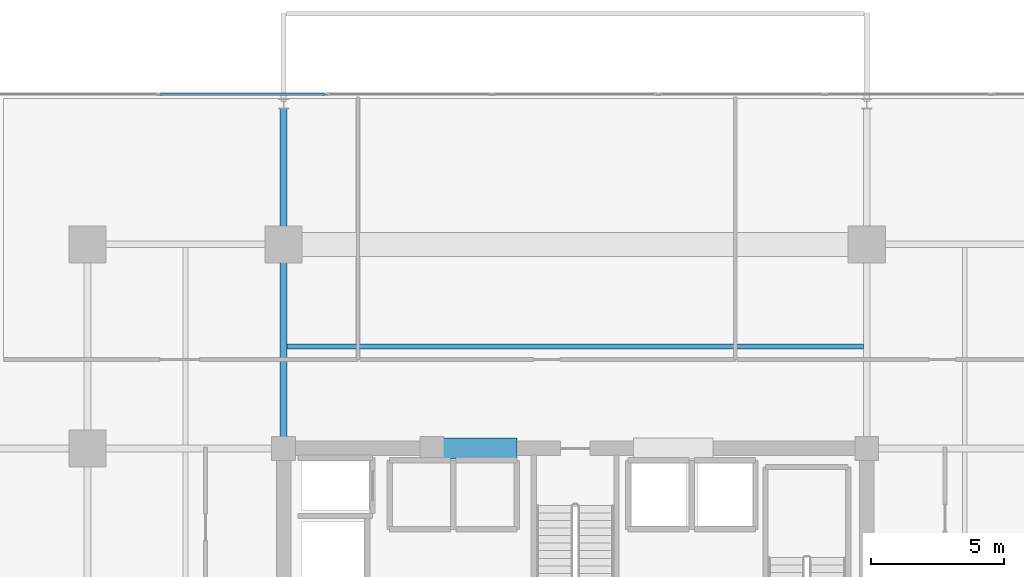
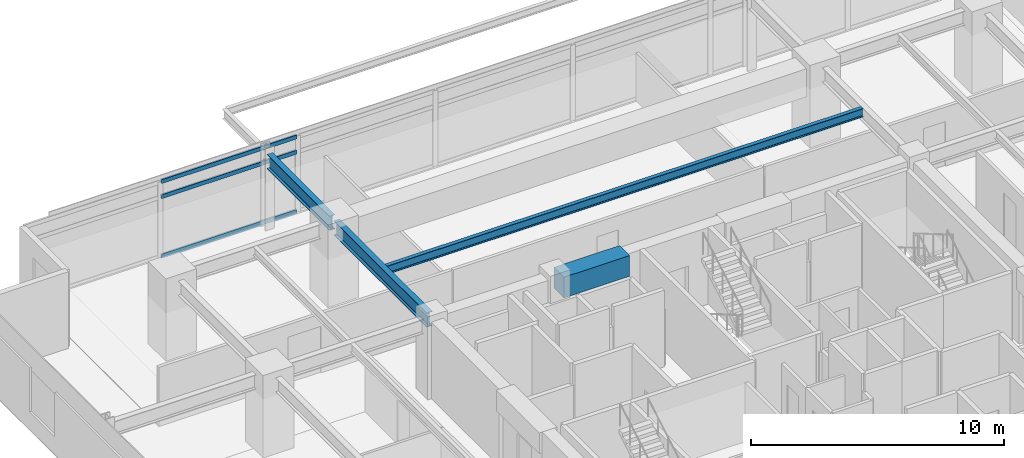
# One storey, part 6 of 22: 4 beams, 3 members, 1 element without a shape of its own.
"""IFC4 building model written with IfcOpenShell, lengths in metres."""

from ifc_helpers import new_model, si_unit, direction, frame, origin, origin_2d, place, context, subcontext, project, spatial, rectangle, hollow_rectangle, i_section, extrude, material, material_profile, profile_set, type_object, element, aggregate, save


model = new_model("IFC4")

# Units and contexts
model_context = context("Model", 3, precision=1e-05, world=origin(), true_north=direction((0.0, 1.0)))
body_context = subcontext(model_context, "Body", "Model", "MODEL_VIEW")
ifc_project = project(units=[si_unit("LENGTHUNIT", "METRE"), si_unit("AREAUNIT", "SQUARE_METRE"), si_unit("VOLUMEUNIT", "CUBIC_METRE"), si_unit("PLANEANGLEUNIT", "RADIAN"), si_unit("MASSUNIT", "GRAM", prefix="KILO")], contexts=[model_context])

# Site, building, storey
site_placement = place(None, origin())
site = spatial("IfcSite", under=ifc_project, at=site_placement, CompositionType="ELEMENT")
building_placement = place(site_placement, origin())
building = spatial("IfcBuilding", under=site, at=building_placement, Name="Kovane Verandah Tower", CompositionType="ELEMENT")
storey_placement = place(building_placement, frame((0.0, 0.0, 229.199951171875)))
storey = spatial("IfcBuildingStorey", under=building, at=storey_placement, Name="L53", CompositionType="ELEMENT", Elevation=229.199951171875)

# Beams
ifc_material_1 = material(Name="Concrete C60/75", Category="concrete")
ifc_material_profile_1 = material_profile(ifc_material_1, rectangle(XDim=0.800048828125, YDim=1.0, at=origin_2d()), Name="RCB800x1000")
ifc_profile_set_1 = profile_set([ifc_material_profile_1], Name="Concrete C60/75")
beam_type_1 = type_object("IfcBeamType", Name="BM-LINTEL-800x1000", PredefinedType="LINTEL", material=ifc_profile_set_1)
beam_1_placement = place(storey_placement, frame((34.800048828125, 36.5, 3.199951171875), z_axis=(1.0, 0.0, 0.0), x_axis=(0.0, 1.0, 0.0)))
element("IfcBeam", 1, at=beam_1_placement, inside=storey, type_object=beam_type_1, Name="L53 Core Coupling Lintel CL-N1", PredefinedType="LINTEL", context=body_context, shape_type="SweptSolid", body=[
    extrude(rectangle(XDim=0.800048828125, YDim=1.0, at=origin_2d()), origin(), (0.0, 0.0, 1.0), 3.0),
])
ifc_material_2 = material(Name="Steel S355", Category="steel")
ifc_material_profile_2 = material_profile(ifc_material_2, i_section(OverallWidth=0.255859375, OverallDepth=0.69287109375, WebThickness=0.014404296875, FlangeThickness=0.023681640625, FilletRadius=0.01513671875, at=origin_2d()), Name="UB686x254x170")
ifc_profile_set_2 = profile_set([ifc_material_profile_2], Name="Steel S355")
beam_type_2 = type_object("IfcBeamType", Name="BM-UB686x170", PredefinedType="BEAM", material=ifc_profile_set_2)
beam_2_placement = place(storey_placement, frame((29.0, 36.679931640625, 3.353759765625), z_axis=(0.0, 1.0, 0.0), x_axis=(-1.0, 0.0, 0.0)))
element("IfcBeam", 2, at=beam_2_placement, inside=storey, type_object=beam_type_2, Name="L53 Primary Tower Girder G-N1", PredefinedType="BEAM", context=body_context, shape_type="SweptSolid", body=[
    extrude(i_section(OverallWidth=0.255859375, OverallDepth=0.69287109375, WebThickness=0.014404296875, FlangeThickness=0.023681640625, FilletRadius=0.01513671875, at=origin_2d()), origin(), (0.0, 0.0, 1.0), 7.340087890625),
])
beam_3_placement = place(storey_placement, frame((29.0, 44.3798828125, 3.353759765625), z_axis=(0.0, 1.0, 0.0), x_axis=(-1.0, 0.0, 0.0)))
element("IfcBeam", 3, at=beam_3_placement, inside=storey, type_object=beam_type_2, Name="L53 Primary Tower Girder G-VN1", PredefinedType="BEAM", context=body_context, shape_type="SweptSolid", body=[
    extrude(i_section(OverallWidth=0.255859375, OverallDepth=0.69287109375, WebThickness=0.014404296875, FlangeThickness=0.023681640625, FilletRadius=0.01513671875, at=origin_2d()), origin(), (0.0, 0.0, 1.0), 4.940185546875),
])

# Curtain wall, members
ifc_material_3 = material(Name="Champagne Anodised Aluminium Frame with Low-E Clear Laminated Glass", Category="aluminium")
curtain_wall_type = type_object("IfcCurtainWallType", Name="CW-SYS-03-MID", PredefinedType="NOTDEFINED", material=ifc_material_3)
curtain_wall_placement = place(storey_placement, origin())
curtain_wall = element("IfcCurtainWall", 4, at=curtain_wall_placement, inside=storey, type_object=curtain_wall_type, Name="L53 N Unitised Curtain Wall", PredefinedType="NOTDEFINED")
ifc_material_4 = material(Name="Champagne Anodised Aluminium 6063-T6", Category="aluminium")
ifc_material_profile_3 = material_profile(ifc_material_4, hollow_rectangle(XDim=0.0849609375, YDim=0.18994140625, WallThickness=0.00390625, at=origin_2d()), Name="AL85x190x4")
ifc_profile_set_3 = profile_set([ifc_material_profile_3], Name="Champagne Anodised Aluminium 6063-T6")
member_type = type_object("IfcMemberType", Name="CW-TRN-85x190", PredefinedType="USERDEFINED", material=ifc_profile_set_3)
member_1_placement = place(storey_placement, frame((30.53466796875, 49.860107421875, 0.050048828125), z_axis=(-1.0, 0.0, 0.0), x_axis=(0.0, -1.0, 0.0)))
member_1 = element("IfcMember", 5, at=member_1_placement, type_object=member_type, Name="L53 N Unitised Curtain Wall Transom TB Bay 6", ObjectType="TRANSOM", PredefinedType="USERDEFINED", context=body_context, shape_type="SweptSolid", body=[
    extrude(hollow_rectangle(XDim=0.0849609375, YDim=0.18994140625, WallThickness=0.00390625, at=origin_2d()), origin(), (0.0, 0.0, 1.0), 6.177001953125),
])
member_2_placement = place(storey_placement, frame((30.53466796875, 49.860107421875, 2.920166015625), z_axis=(-1.0, 0.0, 0.0), x_axis=(0.0, -1.0, 0.0)))
member_2 = element("IfcMember", 6, at=member_2_placement, type_object=member_type, Name="L53 N Unitised Curtain Wall Transom TM Bay 6", ObjectType="TRANSOM", PredefinedType="USERDEFINED", context=body_context, shape_type="SweptSolid", body=[
    extrude(hollow_rectangle(XDim=0.0849609375, YDim=0.18994140625, WallThickness=0.00390625, at=origin_2d()), origin(), (0.0, 0.0, 1.0), 6.177001953125),
])
member_3_placement = place(storey_placement, frame((30.53466796875, 49.860107421875, 3.650146484375), z_axis=(-1.0, 0.0, 0.0), x_axis=(0.0, -1.0, 0.0)))
member_3 = element("IfcMember", 7, at=member_3_placement, type_object=member_type, Name="L53 N Unitised Curtain Wall Transom TT Bay 6", ObjectType="TRANSOM", PredefinedType="USERDEFINED", context=body_context, shape_type="SweptSolid", body=[
    extrude(hollow_rectangle(XDim=0.0849609375, YDim=0.18994140625, WallThickness=0.00390625, at=origin_2d()), origin(), (0.0, 0.0, 1.0), 6.177001953125),
])
aggregate(curtain_wall, [member_1, member_2, member_3])

# Beam
ifc_material_profile_4 = material_profile(ifc_material_2, i_section(OverallWidth=0.179443359375, OverallDepth=0.412841796875, WebThickness=0.009521484375, FlangeThickness=0.01611328125, FilletRadius=0.01025390625, at=origin_2d()), Name="UB406x178x74")
ifc_profile_set_4 = profile_set([ifc_material_profile_4], Name="Steel S355")
beam_type_3 = type_object("IfcBeamType", Name="JST-UB406x74", PredefinedType="JOIST", material=ifc_profile_set_4)
beam_4_placement = place(storey_placement, frame((29.1259765625, 40.35009765625, 3.49365234375), z_axis=(1.0, 0.0, 0.0), x_axis=(0.0, 1.0, 0.0)))
element("IfcBeam", 8, at=beam_4_placement, inside=storey, type_object=beam_type_3, Name="L53 Secondary Composite Joist J-N1", PredefinedType="JOIST", context=body_context, shape_type="SweptSolid", body=[
    extrude(i_section(OverallWidth=0.179443359375, OverallDepth=0.412841796875, WebThickness=0.009521484375, FlangeThickness=0.01611328125, FilletRadius=0.01025390625, at=origin_2d()), origin(), (0.0, 0.0, 1.0), 21.748046875),
])

save(model, "model.ifc")
